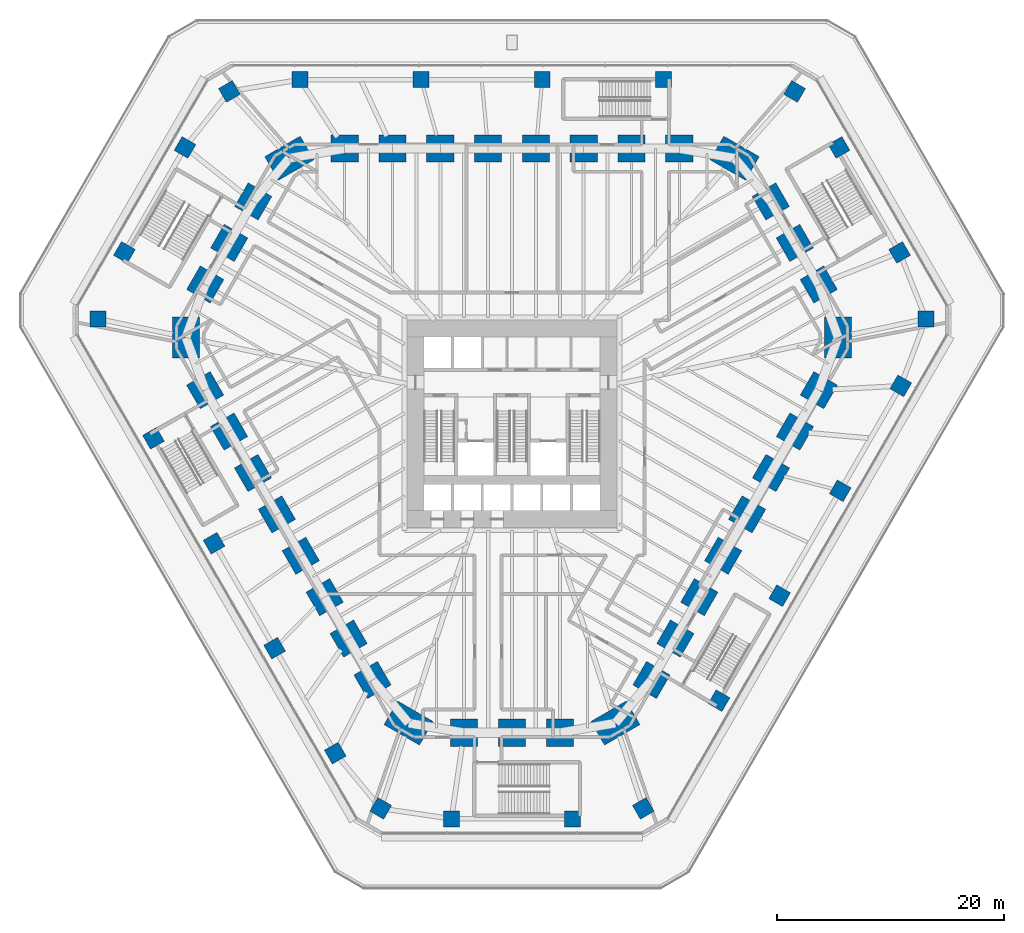
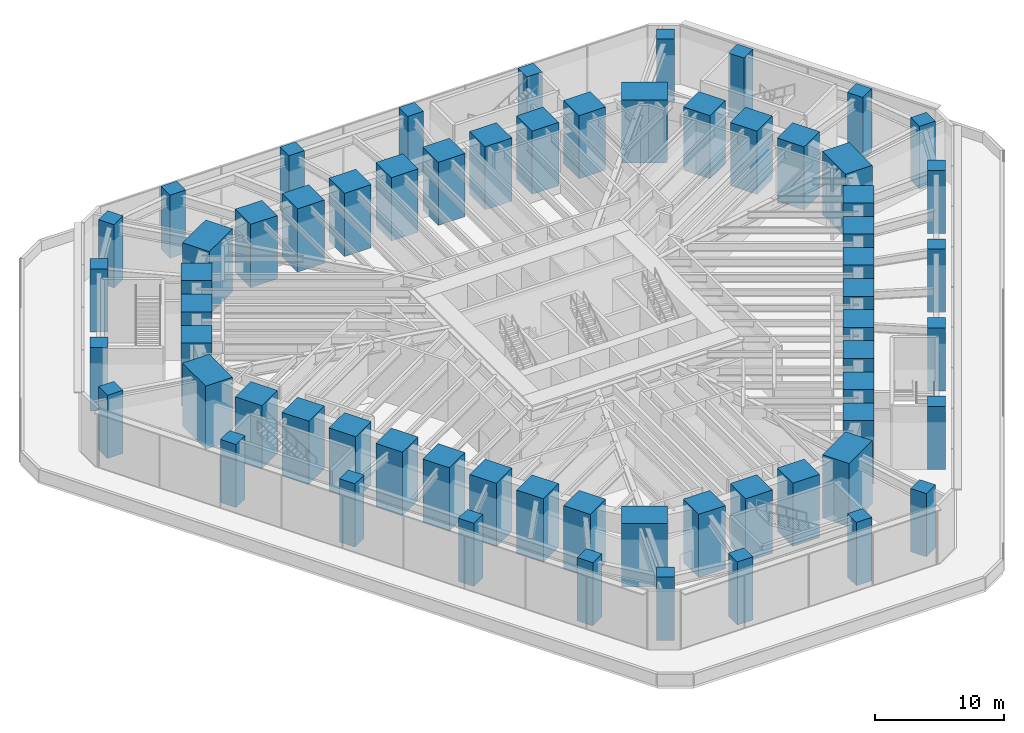
# One storey, part 1 of 24: 63 columns.
"""IFC4 building model written with IfcOpenShell, lengths in metres."""

from ifc_helpers import new_model, si_unit, direction, frame, origin, origin_2d, place, context, subcontext, project, spatial, rectangle, extrude, material, material_profile, profile_set, type_object, element, save


model = new_model("IFC4")

# Units and contexts
model_context = context("Model", 3, precision=1e-05, world=origin(), true_north=direction((0.0, 1.0)))
body_context = subcontext(model_context, "Body", "Model", "MODEL_VIEW")
ifc_project = project(units=[si_unit("LENGTHUNIT", "METRE"), si_unit("AREAUNIT", "SQUARE_METRE"), si_unit("VOLUMEUNIT", "CUBIC_METRE"), si_unit("PLANEANGLEUNIT", "RADIAN"), si_unit("MASSUNIT", "GRAM", prefix="KILO")], contexts=[model_context])

# Site, building, storey
site_placement = place(None, origin())
site = spatial("IfcSite", under=ifc_project, at=site_placement, CompositionType="ELEMENT")
building_placement = place(site_placement, origin())
building = spatial("IfcBuilding", under=site, at=building_placement, Name="Sandreach Pilgrim Tower", CompositionType="ELEMENT")
storey_placement = place(building_placement, frame((0.0, 0.0, 12.0)))
storey = spatial("IfcBuildingStorey", under=building, at=storey_placement, Name="L02", CompositionType="ELEMENT", Elevation=12.0)

# Columns
ifc_material_1 = material(Name="Concrete 10000 psi", Category="concrete")
ifc_material_profile_1 = material_profile(ifc_material_1, rectangle(XDim=1.39990234375, YDim=1.39990234375, at=origin_2d()), Name="RC1400X1400")
ifc_profile_set_1 = profile_set([ifc_material_profile_1], Name="Concrete 10000 psi")
column_type_1 = type_object("IfcColumnType", Name="Podium column RC1400X1400", PredefinedType="COLUMN", material=ifc_profile_set_1)
for number, where, z_axis, x_axis, name in (
    (1, (-18.671630859375, 28.7509765625, 0.0), (0.0, 0.0, 1.0), (0.0, 1.0, 0.0), "COL L02 R125-01"),
    (2, (-8.002197265625, 28.7509765625, 0.0), (0.0, 0.0, 1.0), (0.0, 1.0, 0.0), "COL L02 R125-03"),
    (3, (2.66748046875, 28.7509765625, 0.0), (0.0, 0.0, 1.0), (0.0, 1.0, 0.0), "COL L02 R125-05"),
    (4, (13.3369140625, 28.7509765625, 0.0), (0.0, 0.0, 1.0), (0.0, 1.0, 0.0), "COL L02 R125-07"),
    (5, (24.88525390625, 27.713623046875, 0.0), (0.0, 0.0, 1.0), (0.5, 0.866025403784, 0.0), "COL L02 R125-09"),
    (6, (28.7939453125, 22.78466796875, 0.0), (0.0, 0.0, 1.0), (0.866025403784, 0.5, 0.0), "COL L02 R125-10"),
    (7, (34.129150390625, 13.5439453125, 0.0), (0.0, 0.0, 1.0), (0.866025403784, 0.5, 0.0), "COL L02 R125-12"),
    (8, (36.443359375, 7.6943359375, 0.0), (0.0, 0.0, 1.0), (1.0, 0.0, 0.0), "COL L02 R125-13"),
    (9, (34.23486328125, 1.794677734375, 0.0), (0.0, 0.0, 1.0), (0.866025403784, -0.5, 0.0), "COL L02 R125-14"),
    (10, (28.900146484375, -7.4453125, 0.0), (0.0, 0.0, 1.0), (0.866025403784, -0.5, 0.0), "COL L02 R125-16"),
    (11, (23.5654296875, -16.685546875, 0.0), (0.0, 0.0, 1.0), (0.866025403784, -0.5, 0.0), "COL L02 R125-18"),
    (12, (18.23046875, -25.925537109375, 0.0), (0.0, 0.0, 1.0), (0.866025403784, -0.5, 0.0), "COL L02 R125-20"),
    (13, (11.55810546875, -35.407958984375, 0.0), (0.0, 0.0, 1.0), (0.5, -0.866025403784, 0.0), "COL L02 R125-22"),
    (14, (5.335205078125, -36.32861328125, 0.0), (0.0, 0.0, 1.0), (0.0, -1.0, 0.0), "COL L02 R125-23"),
    (15, (-5.335205078125, -36.32861328125, 0.0), (0.0, 0.0, 1.0), (0.0, -1.0, 0.0), "COL L02 R125-25"),
    (16, (-11.55810546875, -35.407958984375, 0.0), (0.0, 0.0, 1.0), (-0.5, -0.866025403784, 0.0), "COL L02 R125-26"),
    (17, (-15.563232421875, -30.545654296875, 0.0), (0.0, 0.0, 1.0), (-0.866025403784, -0.5, 0.0), "COL L02 R125-27"),
    (18, (-20.89794921875, -21.305419921875, 0.0), (0.0, 0.0, 1.0), (-0.866025403784, -0.5, 0.0), "COL L02 R125-29"),
    (19, (-26.232666015625, -12.0654296875, 0.0), (0.0, 0.0, 1.0), (-0.866025403784, -0.5, 0.0), "COL L02 R125-31"),
    (20, (-31.5673828125, -2.825439453125, 0.0), (0.0, 0.0, 1.0), (-0.866025403784, -0.5, 0.0), "COL L02 R125-33"),
    (21, (-36.443359375, 7.6943359375, 0.0), (0.0, 0.0, 1.0), (-1.0, 0.0, 0.0), "COL L02 R125-35"),
    (22, (-34.129150390625, 13.5439453125, 0.0), (0.0, 0.0, 1.0), (-0.866025403784, 0.5, 0.0), "COL L02 R125-36"),
    (23, (-28.7939453125, 22.78466796875, 0.0), (0.0, 0.0, 1.0), (-0.866025403784, 0.5, 0.0), "COL L02 R125-38"),
    (24, (-24.88525390625, 27.713623046875, 0.0), (0.0, 0.0, 1.0), (-0.5, 0.866025403784, 0.0), "COL L02 R125-39"),
):
    element("IfcColumn", number, at=place(storey_placement, frame(where, z_axis=z_axis, x_axis=x_axis)), inside=storey, type_object=column_type_1, Name=name, PredefinedType="COLUMN", context=body_context, shape_type="SweptSolid", body=[
        extrude(rectangle(XDim=1.39990234375, YDim=1.39990234375, at=origin_2d()), origin(), (0.0, 0.0, 1.0), 6.0),
    ])
ifc_material_2 = material(Name="Concrete 10000 psi", Category="concrete")
ifc_material_profile_2 = material_profile(ifc_material_2, rectangle(XDim=2.39990234375, YDim=2.39990234375, at=origin_2d()), Name="RC2400X2400")
ifc_profile_set_2 = profile_set([ifc_material_profile_2], Name="Concrete 10000 psi")
column_type_2 = type_object("IfcColumnType", Name="Tube column RC2400X2400", PredefinedType="COLUMN", material=ifc_profile_set_2)
for number, where, z_axis, x_axis, name in (
    (25, (-14.734619140625, 22.688720703125, 0.0), (0.0, 0.0, 1.0), (0.0, 1.0, 0.0), "COL L02 T01"),
    (26, (-10.52490234375, 22.688720703125, 0.0), (0.0, 0.0, 1.0), (0.0, 1.0, 0.0), "COL L02 T02"),
    (27, (-6.31494140625, 22.688720703125, 0.0), (0.0, 0.0, 1.0), (0.0, 1.0, 0.0), "COL L02 T03"),
    (28, (-2.10498046875, 22.688720703125, 0.0), (0.0, 0.0, 1.0), (0.0, 1.0, 0.0), "COL L02 T04"),
    (29, (2.10498046875, 22.688720703125, 0.0), (0.0, 0.0, 1.0), (0.0, 1.0, 0.0), "COL L02 T05"),
    (30, (6.31494140625, 22.688720703125, 0.0), (0.0, 0.0, 1.0), (0.0, 1.0, 0.0), "COL L02 T06"),
    (31, (10.52490234375, 22.688720703125, 0.0), (0.0, 0.0, 1.0), (0.0, 1.0, 0.0), "COL L02 T07"),
    (32, (14.734619140625, 22.688720703125, 0.0), (0.0, 0.0, 1.0), (0.0, 1.0, 0.0), "COL L02 T08"),
    (33, (22.787841796875, 18.031982421875, 0.0), (0.0, 0.0, 1.0), (0.866025403784, 0.5, 0.0), "COL L02 T10"),
    (34, (24.89892578125, 14.37548828125, 0.0), (0.0, 0.0, 1.0), (0.866025403784, 0.5, 0.0), "COL L02 T11"),
    (35, (27.01025390625, 10.71875, 0.0), (0.0, 0.0, 1.0), (0.866025403784, 0.5, 0.0), "COL L02 T12"),
    (36, (27.016357421875, 1.416259765625, 0.0), (0.0, 0.0, 1.0), (0.866025403784, -0.5, 0.0), "COL L02 T14"),
    (37, (24.911376953125, -2.229736328125, 0.0), (0.0, 0.0, 1.0), (0.866025403784, -0.5, 0.0), "COL L02 T15"),
    (38, (22.806396484375, -5.87548828125, 0.0), (0.0, 0.0, 1.0), (0.866025403784, -0.5, 0.0), "COL L02 T16"),
    (39, (20.701416015625, -9.521484375, 0.0), (0.0, 0.0, 1.0), (0.866025403784, -0.5, 0.0), "COL L02 T17"),
    (40, (18.596435546875, -13.167236328125, 0.0), (0.0, 0.0, 1.0), (0.866025403784, -0.5, 0.0), "COL L02 T18"),
    (41, (16.491455078125, -16.813232421875, 0.0), (0.0, 0.0, 1.0), (0.866025403784, -0.5, 0.0), "COL L02 T19"),
    (42, (14.38671875, -20.458984375, 0.0), (0.0, 0.0, 1.0), (0.866025403784, -0.5, 0.0), "COL L02 T20"),
    (43, (12.28173828125, -24.10498046875, 0.0), (0.0, 0.0, 1.0), (0.866025403784, -0.5, 0.0), "COL L02 T21"),
    (44, (4.222412109375, -28.7509765625, 0.0), (0.0, 0.0, 1.0), (0.0, -1.0, 0.0), "COL L02 T23"),
    (45, (0.0, -28.7509765625, 0.0), (0.0, 0.0, 1.0), (0.0, -1.0, 0.0), "COL L02 T24"),
    (46, (-4.222412109375, -28.7509765625, 0.0), (0.0, 0.0, 1.0), (0.0, -1.0, 0.0), "COL L02 T25"),
    (47, (-12.28173828125, -24.10498046875, 0.0), (0.0, 0.0, 1.0), (-0.866025403784, -0.5, 0.0), "COL L02 T27"),
    (48, (-14.38671875, -20.458984375, 0.0), (0.0, 0.0, 1.0), (-0.866025403784, -0.5, 0.0), "COL L02 T28"),
    (49, (-16.491455078125, -16.813232421875, 0.0), (0.0, 0.0, 1.0), (-0.866025403784, -0.5, 0.0), "COL L02 T29"),
    (50, (-18.596435546875, -13.167236328125, 0.0), (0.0, 0.0, 1.0), (-0.866025403784, -0.5, 0.0), "COL L02 T30"),
    (51, (-20.701416015625, -9.521484375, 0.0), (0.0, 0.0, 1.0), (-0.866025403784, -0.5, 0.0), "COL L02 T31"),
    (52, (-22.806396484375, -5.87548828125, 0.0), (0.0, 0.0, 1.0), (-0.866025403784, -0.5, 0.0), "COL L02 T32"),
    (53, (-24.911376953125, -2.229736328125, 0.0), (0.0, 0.0, 1.0), (-0.866025403784, -0.5, 0.0), "COL L02 T33"),
    (54, (-27.016357421875, 1.416259765625, 0.0), (0.0, 0.0, 1.0), (-0.866025403784, -0.5, 0.0), "COL L02 T34"),
    (55, (-27.01025390625, 10.71875, 0.0), (0.0, 0.0, 1.0), (-0.866025403784, 0.5, 0.0), "COL L02 T36"),
    (56, (-24.89892578125, 14.37548828125, 0.0), (0.0, 0.0, 1.0), (-0.866025403784, 0.5, 0.0), "COL L02 T37"),
    (57, (-22.787841796875, 18.031982421875, 0.0), (0.0, 0.0, 1.0), (-0.866025403784, 0.5, 0.0), "COL L02 T38"),
):
    element("IfcColumn", number, at=place(storey_placement, frame(where, z_axis=z_axis, x_axis=x_axis)), inside=storey, type_object=column_type_2, Name=name, PredefinedType="COLUMN", context=body_context, shape_type="SweptSolid", body=[
        extrude(rectangle(XDim=2.39990234375, YDim=2.39990234375, at=origin_2d()), origin(), (0.0, 0.0, 1.0), 6.0),
    ])
ifc_material_3 = material(Name="Concrete 10000 psi", Category="concrete")
ifc_material_profile_3 = material_profile(ifc_material_3, rectangle(XDim=2.39990234375, YDim=3.60009765625, at=origin_2d()), Name="RC2400X3600")
ifc_profile_set_3 = profile_set([ifc_material_profile_3], Name="Concrete 10000 psi")
column_type_3 = type_object("IfcColumnType", Name="Tube corner pier RC2400X3600", PredefinedType="COLUMN", material=ifc_profile_set_3)
for number, where, z_axis, x_axis, name in (
    (58, (19.6064453125, 21.834716796875, 0.0), (0.0, 0.0, 1.0), (0.5, 0.866025403784, 0.0), "COL L02 T09"),
    (59, (28.712646484375, 6.062255859375, 0.0), (0.0, 0.0, 1.0), (1.0, 0.0, 0.0), "COL L02 T13"),
    (60, (9.1064453125, -27.89697265625, 0.0), (0.0, 0.0, 1.0), (0.5, -0.866025403784, 0.0), "COL L02 T22"),
    (61, (-9.1064453125, -27.89697265625, 0.0), (0.0, 0.0, 1.0), (-0.5, -0.866025403784, 0.0), "COL L02 T26"),
    (62, (-28.712646484375, 6.062255859375, 0.0), (0.0, 0.0, 1.0), (-1.0, 0.0, 0.0), "COL L02 T35"),
    (63, (-19.6064453125, 21.834716796875, 0.0), (0.0, 0.0, 1.0), (-0.5, 0.866025403784, 0.0), "COL L02 T39"),
):
    element("IfcColumn", number, at=place(storey_placement, frame(where, z_axis=z_axis, x_axis=x_axis)), inside=storey, type_object=column_type_3, Name=name, PredefinedType="COLUMN", context=body_context, shape_type="SweptSolid", body=[
        extrude(rectangle(XDim=2.39990234375, YDim=3.60009765625, at=origin_2d()), origin(), (0.0, 0.0, 1.0), 6.0),
    ])

save(model, "model.ifc")
